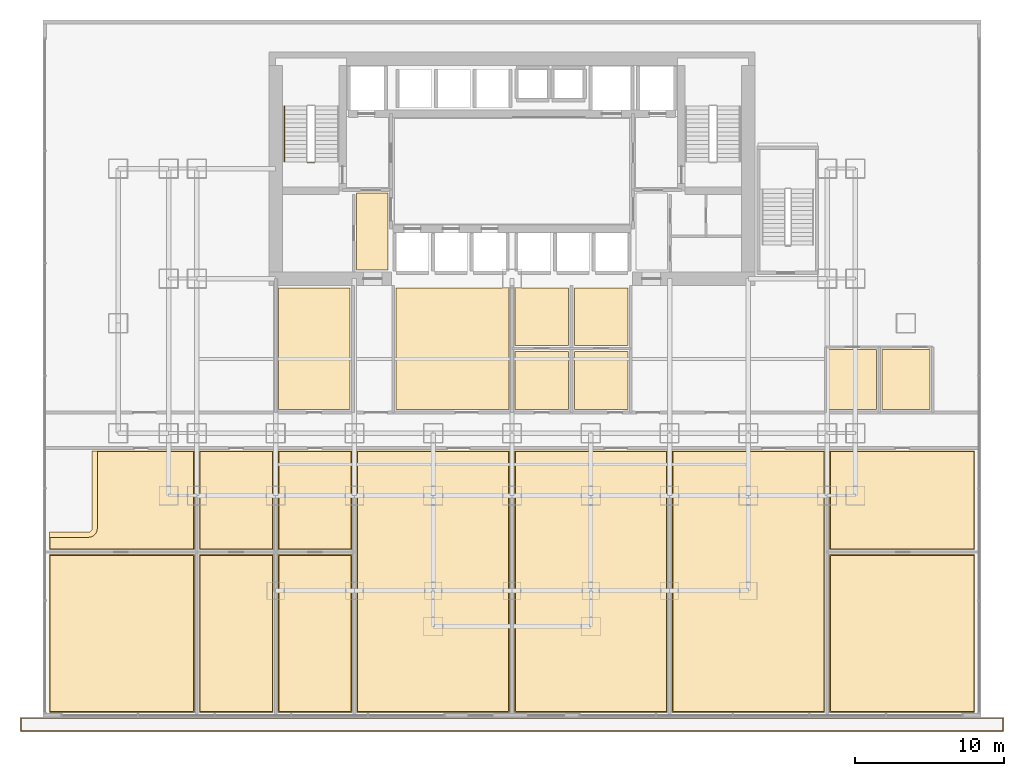
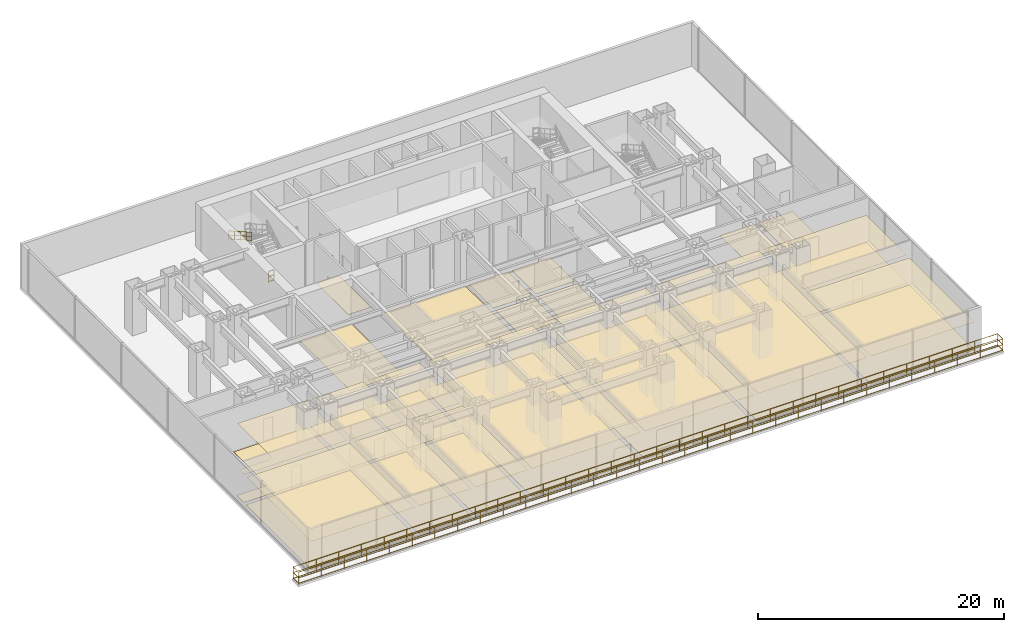
# One storey, part 12 of 13: 31 coverings, 3 railings.
"""IFC4 building model written with IfcOpenShell, lengths in metres."""

from ifc_helpers import new_model, si_unit, direction, frame, origin, origin_2d, place, context, subcontext, project, spatial, polyline, circle, outline, extrude, material, layer, layer_set, type_object, element, save


model = new_model("IFC4")

# Units and contexts
model_context = context("Model", 3, precision=1e-05, world=origin(), true_north=direction((0.0, 1.0)))
body_context = subcontext(model_context, "Body", "Model", "MODEL_VIEW")
ifc_project = project(units=[si_unit("LENGTHUNIT", "METRE"), si_unit("AREAUNIT", "SQUARE_METRE"), si_unit("VOLUMEUNIT", "CUBIC_METRE"), si_unit("PLANEANGLEUNIT", "RADIAN"), si_unit("MASSUNIT", "GRAM", prefix="KILO")], contexts=[model_context])

# Site, building, storey
site_placement = place(None, origin())
site = spatial("IfcSite", under=ifc_project, at=site_placement, CompositionType="ELEMENT")
building_placement = place(site_placement, origin())
building = spatial("IfcBuilding", under=site, at=building_placement, Name="Qianlan Lanfeng Residences", CompositionType="ELEMENT")
storey_placement = place(building_placement, frame((0.0, 0.0, 14.39990234375)))
storey = spatial("IfcBuildingStorey", under=building, at=storey_placement, Name="L03", CompositionType="ELEMENT", Elevation=14.39990234375)

# Coverings
ifc_material_1 = material(Name="Acoustic Perforated Gypsum Ceiling Board")
ifc_layer_1 = layer(ifc_material_1, 0.02001953125)
ifc_layer_set_1 = layer_set([ifc_layer_1], Name="Acoustic Perforated Gypsum Ceiling Board")
covering_type_1 = type_object("IfcCoveringType", Name="CLG-GYP-15", PredefinedType="CEILING", material=ifc_layer_set_1)
covering_1_placement = place(storey_placement, frame((0.0, 0.0, 2.75)))
element("IfcCovering", 1, at=covering_1_placement, inside=storey, type_object=covering_type_1, Name="L03 Management Office Suspended Ceiling", PredefinedType="CEILING", context=body_context, shape_type="SweptSolid", body=[
    extrude(outline(polyline([(-4.580078125, 7.02001953125), (5.080078125, 7.02001953125), (5.080078125, 13.56005859375), (-1.39990234375, 13.56005859375), (-1.39990234375, 8.39990234375), (-1.39990234375, 8.383056640625), (-1.402099609375, 8.35791015625), (-1.405029296875, 8.323974609375), (-1.408935546875, 8.300048828125), (-1.4150390625, 8.26611328125), (-1.4208984375, 8.241943359375), (-1.430908203125, 8.2099609375), (-1.43896484375, 8.18603515625), (-1.452880859375, 8.155029296875), (-1.462890625, 8.133056640625), (-1.47900390625, 8.10205078125), (-1.491943359375, 8.0810546875), (-1.510986328125, 8.052978515625), (-1.52587890625, 8.032958984375), (-1.547119140625, 8.006103515625), (-1.56396484375, 7.988037109375), (-1.587890625, 7.964111328125), (-1.60595703125, 7.947021484375), (-1.633056640625, 7.926025390625), (-1.653076171875, 7.910888671875), (-1.680908203125, 7.89208984375), (-1.701904296875, 7.87890625), (-1.73291015625, 7.863037109375), (-1.7548828125, 7.85302734375), (-1.785888671875, 7.839111328125), (-1.81005859375, 7.8310546875), (-1.842041015625, 7.821044921875), (-1.865966796875, 7.81494140625), (-1.89990234375, 7.80908203125), (-1.924072265625, 7.804931640625), (-1.9580078125, 7.802001953125), (-1.98291015625, 7.800048828125), (-2.0, 7.800048828125), (-4.580078125, 7.800048828125), (-4.580078125, 7.02001953125)])), origin(), (0.0, 0.0, 1.0), 0.02001953125),
])
covering_2_placement = place(storey_placement, frame((0.0, 0.0, 2.75)))
element("IfcCovering", 2, at=covering_2_placement, inside=storey, type_object=covering_type_1, Name="L03 Club Reading Salon Suspended Ceiling", PredefinedType="CEILING", context=body_context, shape_type="SweptSolid", body=[
    extrude(outline(polyline([(-4.580078125, -3.929931640625), (5.080078125, -3.929931640625), (5.080078125, 6.580078125), (-4.580078125, 6.580078125), (-4.580078125, -3.929931640625)])), origin(), (0.0, 0.0, 1.0), 0.02001953125),
])
covering_3_placement = place(storey_placement, frame((0.0, 0.0, 2.75)))
element("IfcCovering", 3, at=covering_3_placement, inside=storey, type_object=covering_type_1, Name="L03 Management Office Suspended Ceiling", PredefinedType="CEILING", context=body_context, shape_type="SweptSolid", body=[
    extrude(outline(polyline([(5.52001953125, 7.02001953125), (10.3798828125, 7.02001953125), (10.3798828125, 13.56005859375), (5.52001953125, 13.56005859375), (5.52001953125, 7.02001953125)])), origin(), (0.0, 0.0, 1.0), 0.02001953125),
])
covering_4_placement = place(storey_placement, frame((0.0, 0.0, 2.75)))
element("IfcCovering", 4, at=covering_4_placement, inside=storey, type_object=covering_type_1, Name="L03 Club Reading Salon Suspended Ceiling", PredefinedType="CEILING", context=body_context, shape_type="SweptSolid", body=[
    extrude(outline(polyline([(5.52001953125, -3.929931640625), (10.3798828125, -3.929931640625), (10.3798828125, 6.580078125), (5.52001953125, 6.580078125), (5.52001953125, -3.929931640625)])), origin(), (0.0, 0.0, 1.0), 0.02001953125),
])
covering_5_placement = place(storey_placement, frame((0.0, 0.0, 2.75)))
element("IfcCovering", 5, at=covering_5_placement, inside=storey, type_object=covering_type_1, Name="L03 Management Office Suspended Ceiling", PredefinedType="CEILING", context=body_context, shape_type="SweptSolid", body=[
    extrude(outline(polyline([(10.820068359375, 7.02001953125), (15.679931640625, 7.02001953125), (15.679931640625, 13.56005859375), (10.820068359375, 13.56005859375), (10.820068359375, 7.02001953125)])), origin(), (0.0, 0.0, 1.0), 0.02001953125),
])
covering_6_placement = place(storey_placement, frame((0.0, 0.0, 2.75)))
element("IfcCovering", 6, at=covering_6_placement, inside=storey, type_object=covering_type_1, Name="L03 Club Reading Salon Suspended Ceiling", PredefinedType="CEILING", context=body_context, shape_type="SweptSolid", body=[
    extrude(outline(polyline([(10.820068359375, -3.929931640625), (15.679931640625, -3.929931640625), (15.679931640625, 6.580078125), (10.820068359375, 6.580078125), (10.820068359375, -3.929931640625)])), origin(), (0.0, 0.0, 1.0), 0.02001953125),
])
covering_7_placement = place(storey_placement, frame((0.0, 0.0, 2.75)))
element("IfcCovering", 7, at=covering_7_placement, inside=storey, type_object=covering_type_1, Name="L03 Fitness Gymnasium Suspended Ceiling", PredefinedType="CEILING", context=body_context, shape_type="SweptSolid", body=[
    extrude(outline(polyline([(16.1201171875, -3.929931640625), (26.280029296875, -3.929931640625), (26.280029296875, 13.56005859375), (16.1201171875, 13.56005859375), (16.1201171875, -3.929931640625)])), origin(), (0.0, 0.0, 1.0), 0.02001953125),
])
covering_8_placement = place(storey_placement, frame((0.0, 0.0, 2.75)))
element("IfcCovering", 8, at=covering_8_placement, inside=storey, type_object=covering_type_1, Name="L03 Sky Pool Lounge Suspended Ceiling", PredefinedType="CEILING", context=body_context, shape_type="SweptSolid", body=[
    extrude(outline(polyline([(26.719970703125, -3.929931640625), (36.8798828125, -3.929931640625), (36.8798828125, 13.56005859375), (26.719970703125, 13.56005859375), (26.719970703125, -3.929931640625)])), origin(), (0.0, 0.0, 1.0), 0.02001953125),
])
covering_9_placement = place(storey_placement, frame((0.0, 0.0, 2.75)))
element("IfcCovering", 9, at=covering_9_placement, inside=storey, type_object=covering_type_1, Name="L03 Yoga Studio Suspended Ceiling", PredefinedType="CEILING", context=body_context, shape_type="SweptSolid", body=[
    extrude(outline(polyline([(37.320068359375, -3.929931640625), (47.47998046875, -3.929931640625), (47.47998046875, 13.56005859375), (37.320068359375, 13.56005859375), (37.320068359375, -3.929931640625)])), origin(), (0.0, 0.0, 1.0), 0.02001953125),
])
covering_10_placement = place(storey_placement, frame((0.0, 0.0, 2.75)))
element("IfcCovering", 10, at=covering_10_placement, inside=storey, type_object=covering_type_1, Name="L03 Management Office Suspended Ceiling", PredefinedType="CEILING", context=body_context, shape_type="SweptSolid", body=[
    extrude(outline(polyline([(47.919921875, 7.02001953125), (57.580078125, 7.02001953125), (57.580078125, 13.56005859375), (47.919921875, 13.56005859375), (47.919921875, 7.02001953125)])), origin(), (0.0, 0.0, 1.0), 0.02001953125),
])
covering_11_placement = place(storey_placement, frame((0.0, 0.0, 2.75)))
element("IfcCovering", 11, at=covering_11_placement, inside=storey, type_object=covering_type_1, Name="L03 Club Reading Salon Suspended Ceiling", PredefinedType="CEILING", context=body_context, shape_type="SweptSolid", body=[
    extrude(outline(polyline([(47.919921875, -3.929931640625), (57.580078125, -3.929931640625), (57.580078125, 6.580078125), (47.919921875, 6.580078125), (47.919921875, -3.929931640625)])), origin(), (0.0, 0.0, 1.0), 0.02001953125),
])
ifc_material_2 = material(Name="Honed Taitung Granite Stone Flooring", Category="masonry")
ifc_layer_2 = layer(ifc_material_2, 0.030029296875)
ifc_layer_set_2 = layer_set([ifc_layer_2], Name="Honed Taitung Granite Stone Flooring")
covering_type_2 = type_object("IfcCoveringType", Name="FLR-STN-30", PredefinedType="FLOORING", material=ifc_layer_set_2)
covering_12_placement = place(storey_placement, origin())
element("IfcCovering", 12, at=covering_12_placement, inside=storey, type_object=covering_type_2, Name="L03 Lift Lobby Floor Finish", PredefinedType="FLOORING", context=body_context, shape_type="SweptSolid", body=[
    extrude(outline(polyline([(16.030029296875, 25.77001953125), (18.169921875, 25.77001953125), (18.169921875, 30.949951171875), (16.030029296875, 30.949951171875), (16.030029296875, 25.77001953125)])), origin(), (0.0, 0.0, 1.0), 0.030029296875),
])
ifc_material_3 = material(Name="Slip-Resistant Porcelain Tile Flooring")
ifc_layer_3 = layer(ifc_material_3, 0.02001953125)
ifc_layer_set_3 = layer_set([ifc_layer_3], Name="Slip-Resistant Porcelain Tile Flooring")
covering_type_3 = type_object("IfcCoveringType", Name="FLR-TIL-20", PredefinedType="FLOORING", material=ifc_layer_set_3)
covering_13_placement = place(storey_placement, origin())
element("IfcCovering", 13, at=covering_13_placement, inside=storey, type_object=covering_type_3, Name="L03 Kitchen Floor Finish", PredefinedType="FLOORING", context=body_context, shape_type="SweptSolid", body=[
    extrude(outline(polyline([(26.68994140625, 16.389892578125), (30.31005859375, 16.389892578125), (30.31005859375, 20.31005859375), (26.68994140625, 20.31005859375), (26.68994140625, 16.389892578125)])), origin(), (0.0, 0.0, 1.0), 0.02001953125),
])
covering_14_placement = place(storey_placement, origin())
element("IfcCovering", 14, at=covering_14_placement, inside=storey, type_object=covering_type_3, Name="L03 Kitchen Floor Finish", PredefinedType="FLOORING", context=body_context, shape_type="SweptSolid", body=[
    extrude(outline(polyline([(26.68994140625, 20.68994140625), (30.31005859375, 20.68994140625), (30.31005859375, 24.580078125), (26.68994140625, 24.580078125), (26.68994140625, 20.68994140625)])), origin(), (0.0, 0.0, 1.0), 0.02001953125),
])
covering_15_placement = place(storey_placement, origin())
element("IfcCovering", 15, at=covering_15_placement, inside=storey, type_object=covering_type_3, Name="L03 Public Restroom Floor Finish", PredefinedType="FLOORING", context=body_context, shape_type="SweptSolid", body=[
    extrude(outline(polyline([(47.7900390625, 16.389892578125), (51.010009765625, 16.389892578125), (51.010009765625, 20.429931640625), (47.7900390625, 20.429931640625), (47.7900390625, 16.389892578125)])), origin(), (0.0, 0.0, 1.0), 0.02001953125),
])
covering_16_placement = place(storey_placement, origin())
element("IfcCovering", 16, at=covering_16_placement, inside=storey, type_object=covering_type_3, Name="L03 Accessible WC Floor Finish", PredefinedType="FLOORING", context=body_context, shape_type="SweptSolid", body=[
    extrude(outline(polyline([(51.389892578125, 16.389892578125), (54.610107421875, 16.389892578125), (54.610107421875, 20.429931640625), (51.389892578125, 20.429931640625), (51.389892578125, 16.389892578125)])), origin(), (0.0, 0.0, 1.0), 0.02001953125),
])
ifc_material_4 = material(Name="Engineered Smoked Oak Timber Flooring", Category="wood")
ifc_layer_4 = layer(ifc_material_4, 0.02197265625)
ifc_layer_set_4 = layer_set([ifc_layer_4], Name="Engineered Smoked Oak Timber Flooring")
covering_type_4 = type_object("IfcCoveringType", Name="FLR-TIM-22", PredefinedType="FLOORING", material=ifc_layer_set_4)
covering_17_placement = place(storey_placement, origin())
element("IfcCovering", 17, at=covering_17_placement, inside=storey, type_object=covering_type_4, Name="L03 Management Office Floor Finish", PredefinedType="FLOORING", context=body_context, shape_type="SweptSolid", body=[
    extrude(outline(polyline([(-4.6298828125, 6.969970703125), (5.1298828125, 6.969970703125), (5.1298828125, 13.610107421875), (-1.75, 13.610107421875), (-1.75, 8.39990234375), (-1.7509765625, 8.375), (-1.7548828125, 8.35107421875), (-1.760986328125, 8.326904296875), (-1.76904296875, 8.303955078125), (-1.780029296875, 8.281982421875), (-1.7919921875, 8.260986328125), (-1.806884765625, 8.240966796875), (-1.822998046875, 8.222900390625), (-1.841064453125, 8.20703125), (-1.861083984375, 8.19189453125), (-1.882080078125, 8.179931640625), (-1.904052734375, 8.1689453125), (-1.927001953125, 8.160888671875), (-1.950927734375, 8.155029296875), (-1.97509765625, 8.15087890625), (-2.0, 8.14990234375), (-4.6298828125, 8.14990234375), (-4.6298828125, 6.969970703125)])), origin(), (0.0, 0.0, 1.0), 0.022216796875),
])
covering_18_placement = place(storey_placement, origin())
element("IfcCovering", 18, at=covering_18_placement, inside=storey, type_object=covering_type_4, Name="L03 Club Reading Salon Floor Finish", PredefinedType="FLOORING", context=body_context, shape_type="SweptSolid", body=[
    extrude(outline(polyline([(-4.6298828125, -3.97998046875), (5.1298828125, -3.97998046875), (5.1298828125, 6.6298828125), (-4.6298828125, 6.6298828125), (-4.6298828125, -3.97998046875)])), origin(), (0.0, 0.0, 1.0), 0.022216796875),
])
covering_19_placement = place(storey_placement, origin())
element("IfcCovering", 19, at=covering_19_placement, inside=storey, type_object=covering_type_4, Name="L03 Management Office Floor Finish", PredefinedType="FLOORING", context=body_context, shape_type="SweptSolid", body=[
    extrude(outline(polyline([(5.469970703125, 6.969970703125), (10.429931640625, 6.969970703125), (10.429931640625, 13.610107421875), (5.469970703125, 13.610107421875), (5.469970703125, 6.969970703125)])), origin(), (0.0, 0.0, 1.0), 0.022216796875),
])
covering_20_placement = place(storey_placement, origin())
element("IfcCovering", 20, at=covering_20_placement, inside=storey, type_object=covering_type_4, Name="L03 Club Reading Salon Floor Finish", PredefinedType="FLOORING", context=body_context, shape_type="SweptSolid", body=[
    extrude(outline(polyline([(5.469970703125, -3.97998046875), (10.429931640625, -3.97998046875), (10.429931640625, 6.6298828125), (5.469970703125, 6.6298828125), (5.469970703125, -3.97998046875)])), origin(), (0.0, 0.0, 1.0), 0.022216796875),
])
covering_21_placement = place(storey_placement, origin())
element("IfcCovering", 21, at=covering_21_placement, inside=storey, type_object=covering_type_4, Name="L03 Management Office Floor Finish", PredefinedType="FLOORING", context=body_context, shape_type="SweptSolid", body=[
    extrude(outline(polyline([(10.77001953125, 6.969970703125), (15.72998046875, 6.969970703125), (15.72998046875, 13.610107421875), (10.77001953125, 13.610107421875), (10.77001953125, 6.969970703125)])), origin(), (0.0, 0.0, 1.0), 0.022216796875),
])
covering_22_placement = place(storey_placement, origin())
element("IfcCovering", 22, at=covering_22_placement, inside=storey, type_object=covering_type_4, Name="L03 Club Reading Salon Floor Finish", PredefinedType="FLOORING", context=body_context, shape_type="SweptSolid", body=[
    extrude(outline(polyline([(10.77001953125, -3.97998046875), (15.72998046875, -3.97998046875), (15.72998046875, 6.6298828125), (10.77001953125, 6.6298828125), (10.77001953125, -3.97998046875)])), origin(), (0.0, 0.0, 1.0), 0.022216796875),
])
covering_23_placement = place(storey_placement, origin())
element("IfcCovering", 23, at=covering_23_placement, inside=storey, type_object=covering_type_4, Name="L03 Fitness Gymnasium Floor Finish", PredefinedType="FLOORING", context=body_context, shape_type="SweptSolid", body=[
    extrude(outline(polyline([(16.070068359375, -3.97998046875), (26.330078125, -3.97998046875), (26.330078125, 13.610107421875), (16.070068359375, 13.610107421875), (16.070068359375, -3.97998046875)])), origin(), (0.0, 0.0, 1.0), 0.022216796875),
])
covering_24_placement = place(storey_placement, origin())
element("IfcCovering", 24, at=covering_24_placement, inside=storey, type_object=covering_type_4, Name="L03 Sky Pool Lounge Floor Finish", PredefinedType="FLOORING", context=body_context, shape_type="SweptSolid", body=[
    extrude(outline(polyline([(26.669921875, -3.97998046875), (36.929931640625, -3.97998046875), (36.929931640625, 13.610107421875), (26.669921875, 13.610107421875), (26.669921875, -3.97998046875)])), origin(), (0.0, 0.0, 1.0), 0.022216796875),
])
covering_25_placement = place(storey_placement, origin())
element("IfcCovering", 25, at=covering_25_placement, inside=storey, type_object=covering_type_4, Name="L03 Yoga Studio Floor Finish", PredefinedType="FLOORING", context=body_context, shape_type="SweptSolid", body=[
    extrude(outline(polyline([(37.27001953125, -3.97998046875), (47.530029296875, -3.97998046875), (47.530029296875, 13.610107421875), (37.27001953125, 13.610107421875), (37.27001953125, -3.97998046875)])), origin(), (0.0, 0.0, 1.0), 0.022216796875),
])
covering_26_placement = place(storey_placement, origin())
element("IfcCovering", 26, at=covering_26_placement, inside=storey, type_object=covering_type_4, Name="L03 Management Office Floor Finish", PredefinedType="FLOORING", context=body_context, shape_type="SweptSolid", body=[
    extrude(outline(polyline([(47.8701171875, 6.969970703125), (57.6298828125, 6.969970703125), (57.6298828125, 13.610107421875), (47.8701171875, 13.610107421875), (47.8701171875, 6.969970703125)])), origin(), (0.0, 0.0, 1.0), 0.022216796875),
])
covering_27_placement = place(storey_placement, origin())
element("IfcCovering", 27, at=covering_27_placement, inside=storey, type_object=covering_type_4, Name="L03 Club Reading Salon Floor Finish", PredefinedType="FLOORING", context=body_context, shape_type="SweptSolid", body=[
    extrude(outline(polyline([(47.8701171875, -3.97998046875), (57.6298828125, -3.97998046875), (57.6298828125, 6.6298828125), (47.8701171875, 6.6298828125), (47.8701171875, -3.97998046875)])), origin(), (0.0, 0.0, 1.0), 0.022216796875),
])
covering_28_placement = place(storey_placement, origin())
element("IfcCovering", 28, at=covering_28_placement, inside=storey, type_object=covering_type_4, Name="L03 Boardroom Suite Floor Finish", PredefinedType="FLOORING", context=body_context, shape_type="SweptSolid", body=[
    extrude(outline(polyline([(10.7900390625, 16.389892578125), (15.610107421875, 16.389892578125), (15.610107421875, 24.580078125), (10.7900390625, 24.580078125), (10.7900390625, 16.389892578125)])), origin(), (0.0, 0.0, 1.0), 0.022216796875),
])
covering_29_placement = place(storey_placement, origin())
element("IfcCovering", 29, at=covering_29_placement, inside=storey, type_object=covering_type_4, Name="L03 Private Cinema Room Floor Finish", PredefinedType="FLOORING", context=body_context, shape_type="SweptSolid", body=[
    extrude(outline(polyline([(18.68994140625, 16.389892578125), (26.31005859375, 16.389892578125), (26.31005859375, 24.580078125), (18.68994140625, 24.580078125), (18.68994140625, 16.389892578125)])), origin(), (0.0, 0.0, 1.0), 0.022216796875),
])
covering_30_placement = place(storey_placement, origin())
element("IfcCovering", 30, at=covering_30_placement, inside=storey, type_object=covering_type_4, Name="L03 Business Meeting Room Floor Finish", PredefinedType="FLOORING", context=body_context, shape_type="SweptSolid", body=[
    extrude(outline(polyline([(30.68994140625, 16.389892578125), (34.31005859375, 16.389892578125), (34.31005859375, 20.31005859375), (30.68994140625, 20.31005859375), (30.68994140625, 16.389892578125)])), origin(), (0.0, 0.0, 1.0), 0.022216796875),
])
covering_31_placement = place(storey_placement, origin())
element("IfcCovering", 31, at=covering_31_placement, inside=storey, type_object=covering_type_4, Name="L03 Club Reading Salon Floor Finish", PredefinedType="FLOORING", context=body_context, shape_type="SweptSolid", body=[
    extrude(outline(polyline([(30.68994140625, 20.68994140625), (34.31005859375, 20.68994140625), (34.31005859375, 24.580078125), (30.68994140625, 24.580078125), (30.68994140625, 20.68994140625)])), origin(), (0.0, 0.0, 1.0), 0.022216796875),
])

# Railings
ifc_material_5 = material(Name="Anodised Bronze Aluminium and Laminated Glass Guard Balustrade", Category="aluminium")
railing_type_1 = type_object("IfcRailingType", Name="GR-EXT-1220", PredefinedType="BALUSTRADE", material=ifc_material_5)
railing_1_placement = place(storey_placement, frame((-6.530029296875, -4.3701171875, 0.0)))
element("IfcRailing", 32, at=railing_1_placement, inside=storey, type_object=railing_type_1, Name="L03 Terrace Safety Guard GR-L03-TER", PredefinedType="BALUSTRADE", context=body_context, shape_type="SweptSolid", body=[
    extrude(circle(Radius=0.02490234375, at=origin_2d()), frame((0.0, 0.0, 0.0849609375), z_axis=(1.0, 0.0, 0.0), x_axis=(0.0, 1.0, 0.0)), (0.0, 0.0, 1.0), 66.06005859375),
    extrude(circle(Radius=0.02490234375, at=origin_2d()), frame((0.0, 0.0, 0.63427734375), z_axis=(1.0, 0.0, 0.0), x_axis=(0.0, 1.0, 0.0)), (0.0, 0.0, 1.0), 66.06005859375),
    extrude(circle(Radius=0.02490234375, at=origin_2d()), frame((0.0, 0.0, 1.19482421875), z_axis=(1.0, 0.0, 0.0), x_axis=(0.0, 1.0, 0.0)), (0.0, 0.0, 1.0), 66.06005859375),
    extrude(circle(Radius=0.02490234375, at=origin_2d()), frame((66.06005859375, 0.0, 0.0849609375), z_axis=(0.0, -1.0, 0.0), x_axis=(1.0, 0.0, 0.0)), (0.0, 0.0, 1.0), 0.85986328125),
    extrude(circle(Radius=0.02490234375, at=origin_2d()), frame((66.06005859375, 0.0, 0.63427734375), z_axis=(0.0, -1.0, 0.0), x_axis=(1.0, 0.0, 0.0)), (0.0, 0.0, 1.0), 0.85986328125),
    extrude(circle(Radius=0.02490234375, at=origin_2d()), frame((66.06005859375, 0.0, 1.19482421875), z_axis=(0.0, -1.0, 0.0), x_axis=(1.0, 0.0, 0.0)), (0.0, 0.0, 1.0), 0.85986328125),
    extrude(circle(Radius=0.02490234375, at=origin_2d()), frame((66.06005859375, -0.85986328125, 0.0849609375), z_axis=(-1.0, 0.0, 0.0), x_axis=(0.0, -1.0, 0.0)), (0.0, 0.0, 1.0), 66.06005859375),
    extrude(circle(Radius=0.02490234375, at=origin_2d()), frame((66.06005859375, -0.85986328125, 0.63427734375), z_axis=(-1.0, 0.0, 0.0), x_axis=(0.0, -1.0, 0.0)), (0.0, 0.0, 1.0), 66.06005859375),
    extrude(circle(Radius=0.02490234375, at=origin_2d()), frame((66.06005859375, -0.85986328125, 1.19482421875), z_axis=(-1.0, 0.0, 0.0), x_axis=(0.0, -1.0, 0.0)), (0.0, 0.0, 1.0), 66.06005859375),
    extrude(circle(Radius=0.02490234375, at=origin_2d()), frame((0.0, -0.85986328125, 0.0849609375), z_axis=(0.0, 1.0, 0.0), x_axis=(-1.0, 0.0, 0.0)), (0.0, 0.0, 1.0), 0.85986328125),
    extrude(circle(Radius=0.02490234375, at=origin_2d()), frame((0.0, -0.85986328125, 0.63427734375), z_axis=(0.0, 1.0, 0.0), x_axis=(-1.0, 0.0, 0.0)), (0.0, 0.0, 1.0), 0.85986328125),
    extrude(circle(Radius=0.02490234375, at=origin_2d()), frame((0.0, -0.85986328125, 1.19482421875), z_axis=(0.0, 1.0, 0.0), x_axis=(-1.0, 0.0, 0.0)), (0.0, 0.0, 1.0), 0.85986328125),
    extrude(circle(Radius=0.02099609375, at=origin_2d()), origin(), (0.0, 0.0, 1.0), 1.169921875),
    extrude(circle(Radius=0.02099609375, at=origin_2d()), frame((2.130859375, 0.0, 0.0)), (0.0, 0.0, 1.0), 1.169921875),
    extrude(circle(Radius=0.02099609375, at=origin_2d()), frame((4.261962890625, 0.0, 0.0)), (0.0, 0.0, 1.0), 1.169921875),
    extrude(circle(Radius=0.02099609375, at=origin_2d()), frame((6.392822265625, 0.0, 0.0)), (0.0, 0.0, 1.0), 1.169921875),
    extrude(circle(Radius=0.02099609375, at=origin_2d()), frame((8.52392578125, 0.0, 0.0)), (0.0, 0.0, 1.0), 1.169921875),
    extrude(circle(Radius=0.02099609375, at=origin_2d()), frame((10.65478515625, 0.0, 0.0)), (0.0, 0.0, 1.0), 1.169921875),
    extrude(circle(Radius=0.02099609375, at=origin_2d()), frame((12.785888671875, 0.0, 0.0)), (0.0, 0.0, 1.0), 1.169921875),
    extrude(circle(Radius=0.02099609375, at=origin_2d()), frame((14.916748046875, 0.0, 0.0)), (0.0, 0.0, 1.0), 1.169921875),
    extrude(circle(Radius=0.02099609375, at=origin_2d()), frame((17.0478515625, 0.0, 0.0)), (0.0, 0.0, 1.0), 1.169921875),
    extrude(circle(Radius=0.02099609375, at=origin_2d()), frame((19.1787109375, 0.0, 0.0)), (0.0, 0.0, 1.0), 1.169921875),
    extrude(circle(Radius=0.02099609375, at=origin_2d()), frame((21.309814453125, 0.0, 0.0)), (0.0, 0.0, 1.0), 1.169921875),
    extrude(circle(Radius=0.02099609375, at=origin_2d()), frame((23.440673828125, 0.0, 0.0)), (0.0, 0.0, 1.0), 1.169921875),
    extrude(circle(Radius=0.02099609375, at=origin_2d()), frame((25.571533203125, 0.0, 0.0)), (0.0, 0.0, 1.0), 1.169921875),
    extrude(circle(Radius=0.02099609375, at=origin_2d()), frame((27.70263671875, 0.0, 0.0)), (0.0, 0.0, 1.0), 1.169921875),
    extrude(circle(Radius=0.02099609375, at=origin_2d()), frame((29.83349609375, 0.0, 0.0)), (0.0, 0.0, 1.0), 1.169921875),
    extrude(circle(Radius=0.02099609375, at=origin_2d()), frame((31.964599609375, 0.0, 0.0)), (0.0, 0.0, 1.0), 1.169921875),
    extrude(circle(Radius=0.02099609375, at=origin_2d()), frame((34.095458984375, 0.0, 0.0)), (0.0, 0.0, 1.0), 1.169921875),
    extrude(circle(Radius=0.02099609375, at=origin_2d()), frame((36.2265625, 0.0, 0.0)), (0.0, 0.0, 1.0), 1.169921875),
    extrude(circle(Radius=0.02099609375, at=origin_2d()), frame((38.357421875, 0.0, 0.0)), (0.0, 0.0, 1.0), 1.169921875),
    extrude(circle(Radius=0.02099609375, at=origin_2d()), frame((40.488525390625, 0.0, 0.0)), (0.0, 0.0, 1.0), 1.169921875),
    extrude(circle(Radius=0.02099609375, at=origin_2d()), frame((42.619384765625, 0.0, 0.0)), (0.0, 0.0, 1.0), 1.169921875),
    extrude(circle(Radius=0.02099609375, at=origin_2d()), frame((44.750244140625, 0.0, 0.0)), (0.0, 0.0, 1.0), 1.169921875),
    extrude(circle(Radius=0.02099609375, at=origin_2d()), frame((46.88134765625, 0.0, 0.0)), (0.0, 0.0, 1.0), 1.169921875),
    extrude(circle(Radius=0.02099609375, at=origin_2d()), frame((49.01220703125, 0.0, 0.0)), (0.0, 0.0, 1.0), 1.169921875),
    extrude(circle(Radius=0.02099609375, at=origin_2d()), frame((51.143310546875, 0.0, 0.0)), (0.0, 0.0, 1.0), 1.169921875),
    extrude(circle(Radius=0.02099609375, at=origin_2d()), frame((53.274169921875, 0.0, 0.0)), (0.0, 0.0, 1.0), 1.169921875),
    extrude(circle(Radius=0.02099609375, at=origin_2d()), frame((55.4052734375, 0.0, 0.0)), (0.0, 0.0, 1.0), 1.169921875),
    extrude(circle(Radius=0.02099609375, at=origin_2d()), frame((57.5361328125, 0.0, 0.0)), (0.0, 0.0, 1.0), 1.169921875),
    extrude(circle(Radius=0.02099609375, at=origin_2d()), frame((59.667236328125, 0.0, 0.0)), (0.0, 0.0, 1.0), 1.169921875),
    extrude(circle(Radius=0.02099609375, at=origin_2d()), frame((61.798095703125, 0.0, 0.0)), (0.0, 0.0, 1.0), 1.169921875),
    extrude(circle(Radius=0.02099609375, at=origin_2d()), frame((63.92919921875, 0.0, 0.0)), (0.0, 0.0, 1.0), 1.169921875),
    extrude(circle(Radius=0.02099609375, at=origin_2d()), frame((66.06005859375, 0.0, 0.0)), (0.0, 0.0, 1.0), 1.169921875),
    extrude(circle(Radius=0.02099609375, at=origin_2d()), frame((66.06005859375, -0.85986328125, 0.0)), (0.0, 0.0, 1.0), 1.169921875),
    extrude(circle(Radius=0.02099609375, at=origin_2d()), frame((63.92919921875, -0.85986328125, 0.0)), (0.0, 0.0, 1.0), 1.169921875),
    extrude(circle(Radius=0.02099609375, at=origin_2d()), frame((61.798095703125, -0.85986328125, 0.0)), (0.0, 0.0, 1.0), 1.169921875),
    extrude(circle(Radius=0.02099609375, at=origin_2d()), frame((59.667236328125, -0.85986328125, 0.0)), (0.0, 0.0, 1.0), 1.169921875),
    extrude(circle(Radius=0.02099609375, at=origin_2d()), frame((57.5361328125, -0.85986328125, 0.0)), (0.0, 0.0, 1.0), 1.169921875),
    extrude(circle(Radius=0.02099609375, at=origin_2d()), frame((55.4052734375, -0.85986328125, 0.0)), (0.0, 0.0, 1.0), 1.169921875),
    extrude(circle(Radius=0.02099609375, at=origin_2d()), frame((53.274169921875, -0.85986328125, 0.0)), (0.0, 0.0, 1.0), 1.169921875),
    extrude(circle(Radius=0.02099609375, at=origin_2d()), frame((51.143310546875, -0.85986328125, 0.0)), (0.0, 0.0, 1.0), 1.169921875),
    extrude(circle(Radius=0.02099609375, at=origin_2d()), frame((49.01220703125, -0.85986328125, 0.0)), (0.0, 0.0, 1.0), 1.169921875),
    extrude(circle(Radius=0.02099609375, at=origin_2d()), frame((46.88134765625, -0.85986328125, 0.0)), (0.0, 0.0, 1.0), 1.169921875),
    extrude(circle(Radius=0.02099609375, at=origin_2d()), frame((44.750244140625, -0.85986328125, 0.0)), (0.0, 0.0, 1.0), 1.169921875),
    extrude(circle(Radius=0.02099609375, at=origin_2d()), frame((42.619384765625, -0.85986328125, 0.0)), (0.0, 0.0, 1.0), 1.169921875),
    extrude(circle(Radius=0.02099609375, at=origin_2d()), frame((40.488525390625, -0.85986328125, 0.0)), (0.0, 0.0, 1.0), 1.169921875),
    extrude(circle(Radius=0.02099609375, at=origin_2d()), frame((38.357421875, -0.85986328125, 0.0)), (0.0, 0.0, 1.0), 1.169921875),
    extrude(circle(Radius=0.02099609375, at=origin_2d()), frame((36.2265625, -0.85986328125, 0.0)), (0.0, 0.0, 1.0), 1.169921875),
    extrude(circle(Radius=0.02099609375, at=origin_2d()), frame((34.095458984375, -0.85986328125, 0.0)), (0.0, 0.0, 1.0), 1.169921875),
    extrude(circle(Radius=0.02099609375, at=origin_2d()), frame((31.964599609375, -0.85986328125, 0.0)), (0.0, 0.0, 1.0), 1.169921875),
    extrude(circle(Radius=0.02099609375, at=origin_2d()), frame((29.83349609375, -0.85986328125, 0.0)), (0.0, 0.0, 1.0), 1.169921875),
    extrude(circle(Radius=0.02099609375, at=origin_2d()), frame((27.70263671875, -0.85986328125, 0.0)), (0.0, 0.0, 1.0), 1.169921875),
    extrude(circle(Radius=0.02099609375, at=origin_2d()), frame((25.571533203125, -0.85986328125, 0.0)), (0.0, 0.0, 1.0), 1.169921875),
    extrude(circle(Radius=0.02099609375, at=origin_2d()), frame((23.440673828125, -0.85986328125, 0.0)), (0.0, 0.0, 1.0), 1.169921875),
    extrude(circle(Radius=0.02099609375, at=origin_2d()), frame((21.309814453125, -0.85986328125, 0.0)), (0.0, 0.0, 1.0), 1.169921875),
    extrude(circle(Radius=0.02099609375, at=origin_2d()), frame((19.1787109375, -0.85986328125, 0.0)), (0.0, 0.0, 1.0), 1.169921875),
    extrude(circle(Radius=0.02099609375, at=origin_2d()), frame((17.0478515625, -0.85986328125, 0.0)), (0.0, 0.0, 1.0), 1.169921875),
    extrude(circle(Radius=0.02099609375, at=origin_2d()), frame((14.916748046875, -0.85986328125, 0.0)), (0.0, 0.0, 1.0), 1.169921875),
    extrude(circle(Radius=0.02099609375, at=origin_2d()), frame((12.785888671875, -0.85986328125, 0.0)), (0.0, 0.0, 1.0), 1.169921875),
    extrude(circle(Radius=0.02099609375, at=origin_2d()), frame((10.65478515625, -0.85986328125, 0.0)), (0.0, 0.0, 1.0), 1.169921875),
    extrude(circle(Radius=0.02099609375, at=origin_2d()), frame((8.52392578125, -0.85986328125, 0.0)), (0.0, 0.0, 1.0), 1.169921875),
    extrude(circle(Radius=0.02099609375, at=origin_2d()), frame((6.392822265625, -0.85986328125, 0.0)), (0.0, 0.0, 1.0), 1.169921875),
    extrude(circle(Radius=0.02099609375, at=origin_2d()), frame((4.261962890625, -0.85986328125, 0.0)), (0.0, 0.0, 1.0), 1.169921875),
    extrude(circle(Radius=0.02099609375, at=origin_2d()), frame((2.130859375, -0.85986328125, 0.0)), (0.0, 0.0, 1.0), 1.169921875),
    extrude(circle(Radius=0.02099609375, at=origin_2d()), frame((0.0, -0.85986328125, 0.0)), (0.0, 0.0, 1.0), 1.169921875),
])
ifc_material_6 = material(Name="Painted Galvanised Steel Guardrail", Category="steel")
railing_type_2 = type_object("IfcRailingType", Name="GR-ST-1120", PredefinedType="GUARDRAIL", material=ifc_material_6)
railing_2_placement = place(storey_placement, frame((13.219970703125, 33.0, 0.0)))
element("IfcRailing", 33, at=railing_2_placement, inside=storey, type_object=railing_type_2, Name="L03 ST-1 stair guard 4", PredefinedType="GUARDRAIL", context=body_context, shape_type="SweptSolid", body=[
    extrude(circle(Radius=0.02392578125, at=origin_2d()), frame((0.0, 0.0, 0.083984375), z_axis=(-1.0, 0.0, 0.0), x_axis=(0.0, -1.0, 0.0)), (0.0, 0.0, 1.0), 0.47998046875),
    extrude(circle(Radius=0.02392578125, at=origin_2d()), frame((0.0, 0.0, 0.58251953125), z_axis=(-1.0, 0.0, 0.0), x_axis=(0.0, -1.0, 0.0)), (0.0, 0.0, 1.0), 0.47998046875),
    extrude(circle(Radius=0.02392578125, at=origin_2d()), frame((0.0, 0.0, 1.09619140625), z_axis=(-1.0, 0.0, 0.0), x_axis=(0.0, -1.0, 0.0)), (0.0, 0.0, 1.0), 0.47998046875),
    extrude(circle(Radius=0.02099609375, at=origin_2d()), origin(), (0.0, 0.0, 1.0), 1.072021484375),
    extrude(circle(Radius=0.02099609375, at=origin_2d()), frame((-0.47998046875, 0.0, 0.0)), (0.0, 0.0, 1.0), 1.072021484375),
])
ifc_material_7 = material(Name="Brushed Stainless Steel Handrail", Category="steel")
railing_type_3 = type_object("IfcRailingType", Name="HR-ST-920", PredefinedType="HANDRAIL", material=ifc_material_7)
railing_3_placement = place(storey_placement, frame((11.18994140625, 36.820068359375, 2.46435546875)))
element("IfcRailing", 34, at=railing_3_placement, inside=storey, type_object=railing_type_3, Name="L03 ST-1 stair handrail 2", PredefinedType="HANDRAIL", context=body_context, shape_type="SweptSolid", body=[
    extrude(circle(Radius=0.02392578125, at=origin_2d()), frame((0.0, 0.0, 0.083984375), z_axis=(0.0, -0.870081794457, 0.492907365491), x_axis=(1.0, 0.0, 0.0)), (0.0, 0.0, 1.0), 4.3330078125),
    extrude(circle(Radius=0.02392578125, at=origin_2d()), frame((0.0, 0.0, 0.468017578125), z_axis=(0.0, -0.870081794457, 0.492907365491), x_axis=(1.0, 0.0, 0.0)), (0.0, 0.0, 1.0), 4.3330078125),
    extrude(circle(Radius=0.02392578125, at=origin_2d()), frame((0.0, 0.0, 0.8759765625), z_axis=(0.0, -0.870081794457, 0.492907365491), x_axis=(1.0, 0.0, 0.0)), (0.0, 0.0, 1.0), 4.3330078125),
    extrude(circle(Radius=0.02099609375, at=origin_2d()), origin(), (0.0, 0.0, 1.0), 0.851806640625),
    extrude(circle(Radius=0.02099609375, at=origin_2d()), frame((0.0, -0.9423828125, 0.533935546875)), (0.0, 0.0, 1.0), 0.851806640625),
    extrude(circle(Radius=0.02099609375, at=origin_2d()), frame((0.0, -1.885009765625, 1.06787109375)), (0.0, 0.0, 1.0), 0.851806640625),
    extrude(circle(Radius=0.02099609375, at=origin_2d()), frame((0.0, -2.82763671875, 1.601806640625)), (0.0, 0.0, 1.0), 0.851806640625),
    extrude(circle(Radius=0.02099609375, at=origin_2d()), frame((0.0, -3.77001953125, 2.1357421875)), (0.0, 0.0, 1.0), 0.851806640625),
])

save(model, "model.ifc")
